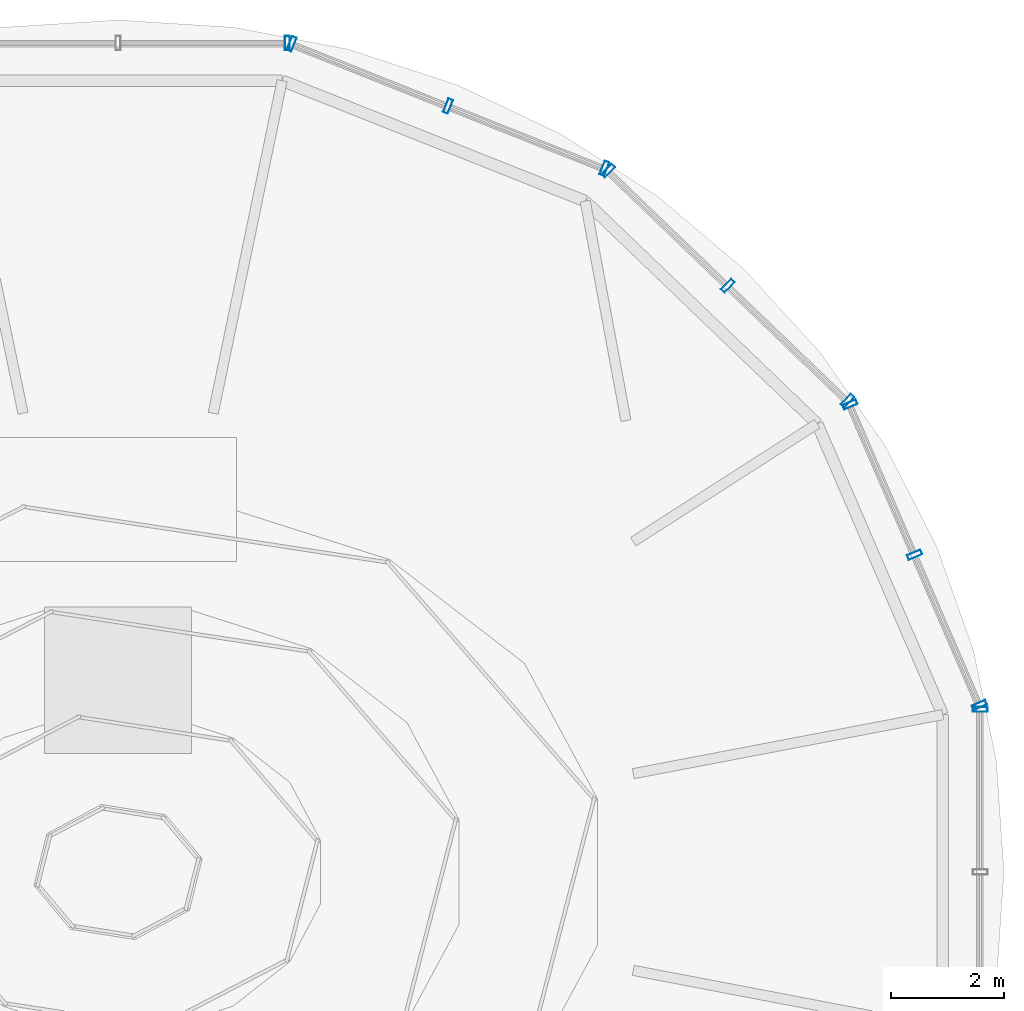
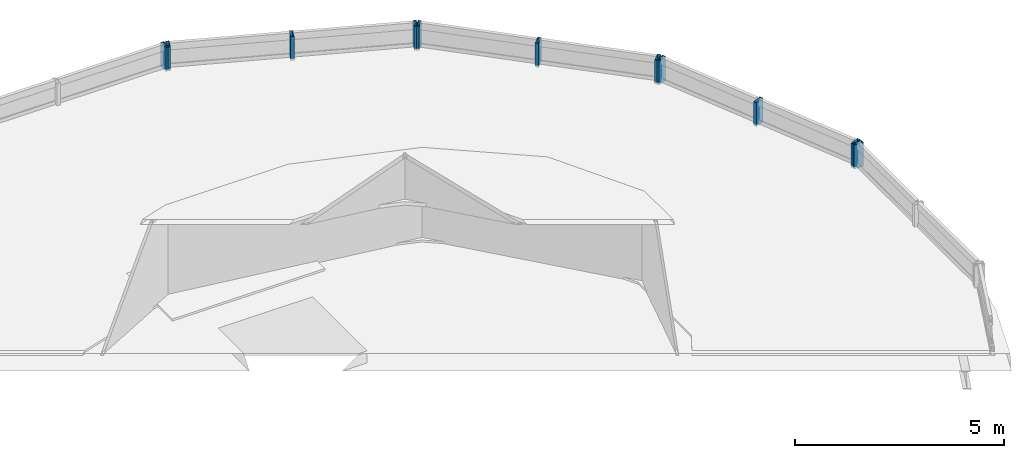
# One storey, part 6 of 8: 11 members, 5 elements without a shape of their own.
"""IFC4 building model written with IfcOpenShell, lengths in metres."""

from ifc_helpers import new_model, si_unit, direction, frame, origin, origin_2d, place, context, subcontext, project, spatial, hollow_rectangle, extrude, source, transform, mapped, material, material_profile, profile_set, type_object, element, aggregate, save


model = new_model("IFC4")

# Units and contexts
model_context = context("Model", 3, precision=1e-05, world=origin(), true_north=direction((-0.2419218956, 0.970295726276)))
body_context = subcontext(model_context, "Body", "Model", "MODEL_VIEW")
ifc_project = project(units=[si_unit("LENGTHUNIT", "METRE"), si_unit("AREAUNIT", "SQUARE_METRE"), si_unit("VOLUMEUNIT", "CUBIC_METRE"), si_unit("PLANEANGLEUNIT", "RADIAN"), si_unit("MASSUNIT", "GRAM", prefix="KILO")], contexts=[model_context])

# Site, building, storey
site_placement = place(None, origin())
site = spatial("IfcSite", under=ifc_project, at=site_placement, CompositionType="ELEMENT")
building_placement = place(site_placement, origin())
building = spatial("IfcBuilding", under=site, at=building_placement, Name="Cobrevalo Terracotta Tower", CompositionType="ELEMENT")
storey_placement = place(building_placement, frame((0.0, 0.0, 337.300048828125)))
storey = spatial("IfcBuildingStorey", under=building, at=storey_placement, Name="RF", CompositionType="ELEMENT", Elevation=337.300048828125)

# Curtain wall, members
ifc_material = material(Name="Anodized aluminium", Category="aluminium")
curtain_wall_type = type_object("IfcCurtainWallType", Name="Faceted glass-point crown structural glazing system CW-CR", PredefinedType="NOTDEFINED", material=ifc_material)
curtain_wall_1_placement = place(storey_placement, origin())
curtain_wall_1 = element("IfcCurtainWall", 1, at=curtain_wall_1_placement, inside=storey, type_object=curtain_wall_type, Name="RF curtain wall CW-CRN-RF-S01", PredefinedType="NOTDEFINED")
ifc_material_profile = material_profile(ifc_material, hollow_rectangle(XDim=0.090087890625, YDim=0.260009765625, WallThickness=0.006103515625, at=origin_2d()), Name="CWM 90x260")
ifc_profile_set = profile_set([ifc_material_profile], Name="Anodized aluminium")
member_type = type_object("IfcMemberType", Name="Crown structural glass mullion 90x260", PredefinedType="MULLION", material=ifc_profile_set)
shared_shape = source(origin(), body_context, "Body", "SweptSolid", [
    extrude(hollow_rectangle(XDim=0.090087890625, YDim=0.260009765625, WallThickness=0.006103515625, at=origin_2d()), origin(), (0.0, 0.0, 1.0), 0.699951171875),
])
member_1_placement = place(storey_placement, frame((53.264892578125, 29.75927734375, 0.0), z_axis=(0.0, 0.0, 1.0), x_axis=(-0.395657709004, 0.918398049489, 0.0)))
member_1 = element("IfcMember", 2, at=member_1_placement, type_object=member_type, Name="CW-CRN-RF-S01 vertical mullion 01", PredefinedType="MULLION", context=body_context, shape_type="MappedRepresentation", body=[
    mapped(shared_shape, transform((0.0, 0.0, 0.0), scale=1.0)),
])
member_2_placement = place(storey_placement, frame((52.117431640625, 32.42236328125, 0.0), z_axis=(0.0, 0.0, 1.0), x_axis=(-0.395657709004, 0.918398049489, 0.0)))
member_2 = element("IfcMember", 3, at=member_2_placement, type_object=member_type, Name="CW-CRN-RF-S01 vertical mullion 02", PredefinedType="MULLION", context=body_context, shape_type="MappedRepresentation", body=[
    mapped(shared_shape, transform((0.0, 0.0, 0.0), scale=1.0)),
])
member_3_placement = place(storey_placement, frame((50.97021484375, 35.085693359375, 0.0), z_axis=(0.0, 0.0, 1.0), x_axis=(-0.395657709004, 0.918398049489, 0.0)))
member_3 = element("IfcMember", 4, at=member_3_placement, type_object=member_type, Name="CW-CRN-RF-S01 vertical mullion 03", PredefinedType="MULLION", context=body_context, shape_type="MappedRepresentation", body=[
    mapped(shared_shape, transform((0.0, 0.0, 0.0), scale=1.0)),
])
aggregate(curtain_wall_1, [member_1, member_2, member_3])

curtain_wall_2_placement = place(storey_placement, origin())
curtain_wall_2 = element("IfcCurtainWall", 5, at=curtain_wall_2_placement, inside=storey, type_object=curtain_wall_type, Name="RF curtain wall CW-CRN-RF-S02", PredefinedType="NOTDEFINED")
member_4_placement = place(storey_placement, frame((50.925537109375, 35.150146484375, 0.0), z_axis=(0.0, 0.0, 1.0), x_axis=(-0.720853596703, 0.693087362546, 0.0)))
member_4 = element("IfcMember", 6, at=member_4_placement, type_object=member_type, Name="CW-CRN-RF-S02 vertical mullion 01", PredefinedType="MULLION", context=body_context, shape_type="MappedRepresentation", body=[
    mapped(shared_shape, transform((0.0, 0.0, 0.0), scale=1.0)),
])
member_5_placement = place(storey_placement, frame((48.804931640625, 37.18896484375, 0.0), z_axis=(0.0, 0.0, 1.0), x_axis=(-0.720853596703, 0.693087362546, 0.0)))
member_5 = element("IfcMember", 7, at=member_5_placement, type_object=member_type, Name="CW-CRN-RF-S02 vertical mullion 02", PredefinedType="MULLION", context=body_context, shape_type="MappedRepresentation", body=[
    mapped(shared_shape, transform((0.0, 0.0, 0.0), scale=1.0)),
])
member_6_placement = place(storey_placement, frame((46.6845703125, 39.227783203125, 0.0), z_axis=(0.0, 0.0, 1.0), x_axis=(-0.720853596703, 0.693087362546, 0.0)))
member_6 = element("IfcMember", 8, at=member_6_placement, type_object=member_type, Name="CW-CRN-RF-S02 vertical mullion 03", PredefinedType="MULLION", context=body_context, shape_type="MappedRepresentation", body=[
    mapped(shared_shape, transform((0.0, 0.0, 0.0), scale=1.0)),
])
aggregate(curtain_wall_2, [member_4, member_5, member_6])

curtain_wall_3_placement = place(storey_placement, origin())
curtain_wall_3 = element("IfcCurtainWall", 9, at=curtain_wall_3_placement, inside=storey, type_object=curtain_wall_type, Name="RF curtain wall CW-CRN-RF-S03", PredefinedType="NOTDEFINED")
member_7_placement = place(storey_placement, frame((46.61865234375, 39.270263671875, 0.0), z_axis=(0.0, 0.0, 1.0), x_axis=(-0.929029282535, 0.370006205615, 0.0)))
member_7 = element("IfcMember", 10, at=member_7_placement, type_object=member_type, Name="CW-CRN-RF-S03 vertical mullion 01", PredefinedType="MULLION", context=body_context, shape_type="MappedRepresentation", body=[
    mapped(shared_shape, transform((0.0, 0.0, 0.0), scale=1.0)),
])
member_8_placement = place(storey_placement, frame((43.84765625, 40.373779296875, 0.0), z_axis=(0.0, 0.0, 1.0), x_axis=(-0.929029282535, 0.370006205615, 0.0)))
member_8 = element("IfcMember", 11, at=member_8_placement, type_object=member_type, Name="CW-CRN-RF-S03 vertical mullion 02", PredefinedType="MULLION", context=body_context, shape_type="MappedRepresentation", body=[
    mapped(shared_shape, transform((0.0, 0.0, 0.0), scale=1.0)),
])
member_9_placement = place(storey_placement, frame((41.07666015625, 41.477294921875, 0.0), z_axis=(0.0, 0.0, 1.0), x_axis=(-0.929029282535, 0.370006205615, 0.0)))
member_9 = element("IfcMember", 12, at=member_9_placement, type_object=member_type, Name="CW-CRN-RF-S03 vertical mullion 03", PredefinedType="MULLION", context=body_context, shape_type="MappedRepresentation", body=[
    mapped(shared_shape, transform((0.0, 0.0, 0.0), scale=1.0)),
])
aggregate(curtain_wall_3, [member_7, member_8, member_9])

# Curtain wall, member
curtain_wall_4_placement = place(storey_placement, origin())
curtain_wall_4 = element("IfcCurtainWall", 13, at=curtain_wall_4_placement, inside=storey, type_object=curtain_wall_type, Name="RF curtain wall CW-CRN-RF-S04", PredefinedType="NOTDEFINED")
member_10_placement = place(storey_placement, frame((40.99951171875, 41.4921875, 0.0), z_axis=(0.0, 0.0, 1.0), x_axis=(-1.0, 0.0, 0.0)))
member_10 = element("IfcMember", 14, at=member_10_placement, type_object=member_type, Name="CW-CRN-RF-S04 vertical mullion 01", PredefinedType="MULLION", context=body_context, shape_type="MappedRepresentation", body=[
    mapped(shared_shape, transform((0.0, 0.0, 0.0), scale=1.0)),
])
aggregate(curtain_wall_4, [member_10])

curtain_wall_5_placement = place(storey_placement, origin())
curtain_wall_5 = element("IfcCurtainWall", 15, at=curtain_wall_5_placement, inside=storey, type_object=curtain_wall_type, Name="RF curtain wall CW-CRN-RF-S16", PredefinedType="NOTDEFINED")
member_11_placement = place(storey_placement, frame((53.280517578125, 29.682373046875, 0.0), z_axis=(0.0, 0.0, 1.0), x_axis=(0.0, 1.0, 0.0)))
member_11 = element("IfcMember", 16, at=member_11_placement, type_object=member_type, Name="CW-CRN-RF-S16 vertical mullion 03", PredefinedType="MULLION", context=body_context, shape_type="MappedRepresentation", body=[
    mapped(shared_shape, transform((0.0, 0.0, 0.0), scale=1.0)),
])
aggregate(curtain_wall_5, [member_11])

save(model, "model.ifc")
